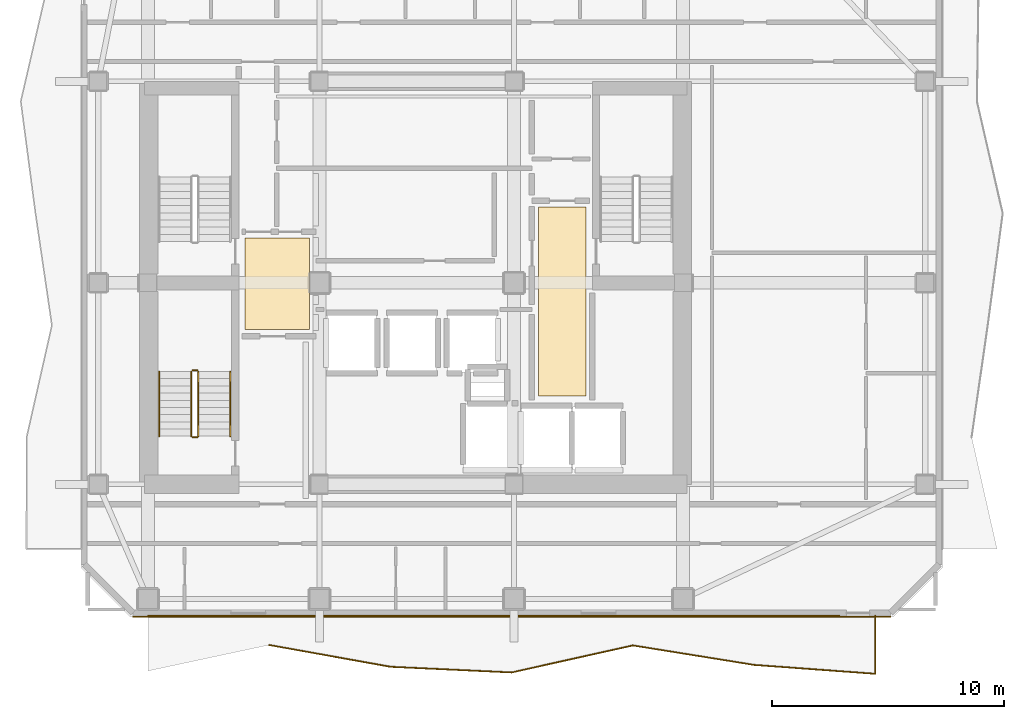
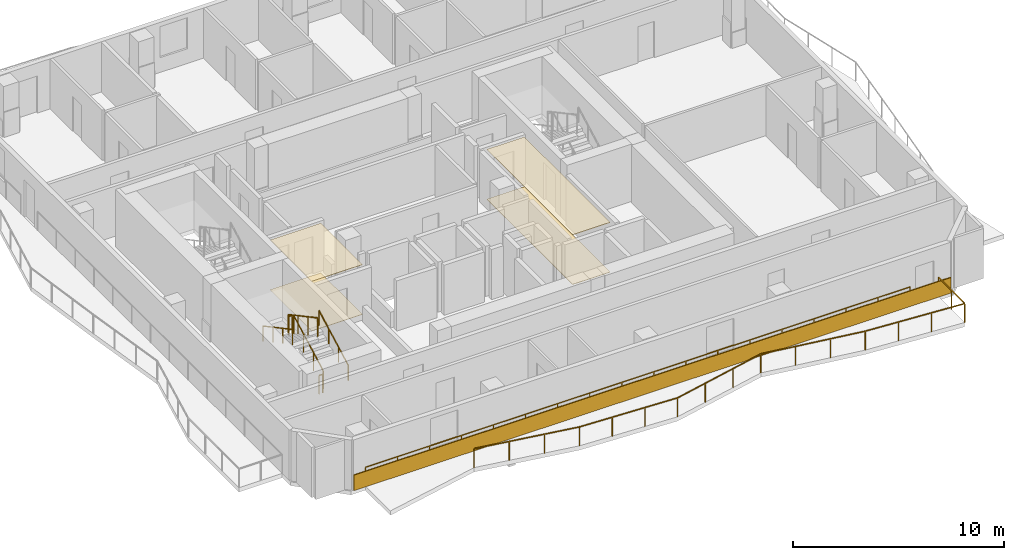
# One storey, part 7 of 9: 8 railings, 5 coverings.
"""IFC4 building model written with IfcOpenShell, lengths in metres."""

from ifc_helpers import new_model, si_unit, direction, frame, frame_2d, origin, origin_2d, place, context, subcontext, project, spatial, polyline, rectangle, outline, extrude, material, layer, layer_set, type_object, element, save


model = new_model("IFC4")

# Units and contexts
model_context = context("Model", 3, precision=1e-05, world=origin(), true_north=direction((0.0, 1.0)))
body_context = subcontext(model_context, "Body", "Model", "MODEL_VIEW")
ifc_project = project(units=[si_unit("LENGTHUNIT", "METRE"), si_unit("AREAUNIT", "SQUARE_METRE"), si_unit("VOLUMEUNIT", "CUBIC_METRE"), si_unit("PLANEANGLEUNIT", "RADIAN"), si_unit("MASSUNIT", "GRAM", prefix="KILO")], contexts=[model_context])

# Site, building, storey
site_placement = place(None, origin())
site = spatial("IfcSite", under=ifc_project, at=site_placement, CompositionType="ELEMENT")
building_placement = place(site_placement, origin())
building = spatial("IfcBuilding", under=site, at=building_placement, Name="Solanera Arch Residences", CompositionType="ELEMENT")
storey_placement = place(building_placement, frame((0.0, 0.0, 247.8798828125)))
storey = spatial("IfcBuildingStorey", under=building, at=storey_placement, Name="L72", CompositionType="ELEMENT", Elevation=247.8798828125)

# Railings
ifc_material_1 = material(Name="Steel S355 (ASTM A992 / A572 Grade 50)", Category="steel")
railing_type_1 = type_object("IfcRailingType", Name="Balustrade Railing BL-1100", PredefinedType="BALUSTRADE", material=ifc_material_1)
railing_1_placement = place(storey_placement, frame((18.633056640625, 15.06298828125, 0.0)))
element("IfcRailing", 1, at=railing_1_placement, inside=storey, type_object=railing_type_1, Name="L72 S Balcony Balustrade 1", PredefinedType="BALUSTRADE", context=body_context, shape_type="SweptSolid", body=[
    extrude(rectangle(XDim=0.048095703125, YDim=0.048095703125, at=origin_2d()), frame((0.0, 0.0, 1.09619140625), z_axis=(0.984254007394, -0.176759862322, 0.0), x_axis=(0.176759862322, 0.984254007394, 0.0)), (0.0, 0.0, 1.0), 5.317626953125),
    extrude(rectangle(XDim=0.048095703125, YDim=0.048095703125, at=origin_2d()), frame((5.23388671875, -0.93994140625, 1.09619140625), z_axis=(0.998904842537, -0.04678798516, 0.0), x_axis=(0.04678798516, 0.998904842537, 0.0)), (0.0, 0.0, 1.0), 5.239013671875),
    extrude(rectangle(XDim=0.048095703125, YDim=0.048095703125, at=origin_2d()), frame((10.467041015625, -1.18505859375, 1.09619140625), z_axis=(0.975985216439, 0.21783676754, 0.0), x_axis=(-0.21783676754, 0.975985216439, 0.0)), (0.0, 0.0, 1.0), 5.361572265625),
    extrude(rectangle(XDim=0.048095703125, YDim=0.048095703125, at=origin_2d()), frame((15.699951171875, -0.01708984375, 1.09619140625), z_axis=(0.987275427033, -0.159019593691, 0.0), x_axis=(0.159019593691, 0.987275427033, 0.0)), (0.0, 0.0, 1.0), 5.30126953125),
    extrude(rectangle(XDim=0.048095703125, YDim=0.048095703125, at=origin_2d()), frame((20.933837890625, -0.860107421875, 1.09619140625), z_axis=(0.997335127517, -0.072956448796, 0.0), x_axis=(0.072956448796, 0.997335127517, 0.0)), (0.0, 0.0, 1.0), 5.2470703125),
    extrude(rectangle(XDim=0.048095703125, YDim=0.048095703125, at=origin_2d()), frame((26.1669921875, -1.242919921875, 1.09619140625), z_axis=(0.0, 1.0, 0.0), x_axis=(-1.0, 0.0, 0.0)), (0.0, 0.0, 1.0), 2.5),
    extrude(rectangle(XDim=0.0419921875, YDim=0.0419921875, at=origin_2d()), origin(), (0.0, 0.0, 1.0), 1.072021484375),
    extrude(rectangle(XDim=0.0419921875, YDim=0.0419921875, at=origin_2d()), frame((1.74462890625, -0.313232421875, 0.0)), (0.0, 0.0, 1.0), 1.072021484375),
    extrude(rectangle(XDim=0.0419921875, YDim=0.0419921875, at=origin_2d()), frame((3.4892578125, -0.626708984375, 0.0)), (0.0, 0.0, 1.0), 1.072021484375),
    extrude(rectangle(XDim=0.0419921875, YDim=0.0419921875, at=origin_2d()), frame((5.23388671875, -0.93994140625, 0.0)), (0.0, 0.0, 1.0), 1.072021484375),
    extrude(rectangle(XDim=0.0419921875, YDim=0.0419921875, at=origin_2d()), frame((6.978271484375, -1.021728515625, 0.0)), (0.0, 0.0, 1.0), 1.072021484375),
    extrude(rectangle(XDim=0.0419921875, YDim=0.0419921875, at=origin_2d()), frame((8.72265625, -1.103271484375, 0.0)), (0.0, 0.0, 1.0), 1.072021484375),
    extrude(rectangle(XDim=0.0419921875, YDim=0.0419921875, at=origin_2d()), frame((10.467041015625, -1.18505859375, 0.0)), (0.0, 0.0, 1.0), 1.072021484375),
    extrude(rectangle(XDim=0.0419921875, YDim=0.0419921875, at=origin_2d()), frame((12.21142578125, -0.795654296875, 0.0)), (0.0, 0.0, 1.0), 1.072021484375),
    extrude(rectangle(XDim=0.0419921875, YDim=0.0419921875, at=origin_2d()), frame((13.95556640625, -0.406494140625, 0.0)), (0.0, 0.0, 1.0), 1.072021484375),
    extrude(rectangle(XDim=0.0419921875, YDim=0.0419921875, at=origin_2d()), frame((15.699951171875, -0.01708984375, 0.0)), (0.0, 0.0, 1.0), 1.072021484375),
    extrude(rectangle(XDim=0.0419921875, YDim=0.0419921875, at=origin_2d()), frame((17.444580078125, -0.298095703125, 0.0)), (0.0, 0.0, 1.0), 1.072021484375),
    extrude(rectangle(XDim=0.0419921875, YDim=0.0419921875, at=origin_2d()), frame((19.189208984375, -0.5791015625, 0.0)), (0.0, 0.0, 1.0), 1.072021484375),
    extrude(rectangle(XDim=0.0419921875, YDim=0.0419921875, at=origin_2d()), frame((20.933837890625, -0.860107421875, 0.0)), (0.0, 0.0, 1.0), 1.072021484375),
    extrude(rectangle(XDim=0.0419921875, YDim=0.0419921875, at=origin_2d()), frame((22.67822265625, -0.98779296875, 0.0)), (0.0, 0.0, 1.0), 1.072021484375),
    extrude(rectangle(XDim=0.0419921875, YDim=0.0419921875, at=origin_2d()), frame((24.422607421875, -1.115234375, 0.0)), (0.0, 0.0, 1.0), 1.072021484375),
    extrude(rectangle(XDim=0.0419921875, YDim=0.0419921875, at=origin_2d()), frame((26.1669921875, -1.242919921875, 0.0)), (0.0, 0.0, 1.0), 1.072021484375),
    extrude(rectangle(XDim=0.0419921875, YDim=0.0419921875, at=origin_2d()), frame((26.1669921875, 0.007080078125, 0.0)), (0.0, 0.0, 1.0), 1.072021484375),
    extrude(rectangle(XDim=0.0419921875, YDim=0.0419921875, at=origin_2d()), frame((26.1669921875, 1.257080078125, 0.0)), (0.0, 0.0, 1.0), 1.072021484375),
])
railing_2_placement = place(storey_placement, frame((43.248046875, 16.320068359375, 0.0)))
element("IfcRailing", 2, at=railing_2_placement, inside=storey, type_object=railing_type_1, Name="L72 S Balcony Balustrade 2", PredefinedType="BALUSTRADE", context=body_context, shape_type="SweptSolid", body=[
    extrude(rectangle(XDim=0.048095703125, YDim=0.048095703125, at=origin_2d()), frame((0.0, 0.0, 1.09619140625), z_axis=(-1.0, 0.0, 0.0), x_axis=(0.0, -1.0, 0.0)), (0.0, 0.0, 1.0), 29.84814453125),
    extrude(rectangle(XDim=0.0419921875, YDim=0.0419921875, at=origin_2d()), origin(), (0.0, 0.0, 1.0), 1.072021484375),
    extrude(rectangle(XDim=0.0419921875, YDim=0.0419921875, at=origin_2d()), frame((-1.755859375, 0.0, 0.0)), (0.0, 0.0, 1.0), 1.072021484375),
    extrude(rectangle(XDim=0.0419921875, YDim=0.0419921875, at=origin_2d()), frame((-3.511474609375, 0.0, 0.0)), (0.0, 0.0, 1.0), 1.072021484375),
    extrude(rectangle(XDim=0.0419921875, YDim=0.0419921875, at=origin_2d()), frame((-5.267333984375, 0.0, 0.0)), (0.0, 0.0, 1.0), 1.072021484375),
    extrude(rectangle(XDim=0.0419921875, YDim=0.0419921875, at=origin_2d()), frame((-7.023193359375, 0.0, 0.0)), (0.0, 0.0, 1.0), 1.072021484375),
    extrude(rectangle(XDim=0.0419921875, YDim=0.0419921875, at=origin_2d()), frame((-8.77880859375, 0.0, 0.0)), (0.0, 0.0, 1.0), 1.072021484375),
    extrude(rectangle(XDim=0.0419921875, YDim=0.0419921875, at=origin_2d()), frame((-10.53466796875, 0.0, 0.0)), (0.0, 0.0, 1.0), 1.072021484375),
    extrude(rectangle(XDim=0.0419921875, YDim=0.0419921875, at=origin_2d()), frame((-12.29052734375, 0.0, 0.0)), (0.0, 0.0, 1.0), 1.072021484375),
    extrude(rectangle(XDim=0.0419921875, YDim=0.0419921875, at=origin_2d()), frame((-14.046142578125, 0.0, 0.0)), (0.0, 0.0, 1.0), 1.072021484375),
    extrude(rectangle(XDim=0.0419921875, YDim=0.0419921875, at=origin_2d()), frame((-15.802001953125, 0.0, 0.0)), (0.0, 0.0, 1.0), 1.072021484375),
    extrude(rectangle(XDim=0.0419921875, YDim=0.0419921875, at=origin_2d()), frame((-17.5576171875, 0.0, 0.0)), (0.0, 0.0, 1.0), 1.072021484375),
    extrude(rectangle(XDim=0.0419921875, YDim=0.0419921875, at=origin_2d()), frame((-19.3134765625, 0.0, 0.0)), (0.0, 0.0, 1.0), 1.072021484375),
    extrude(rectangle(XDim=0.0419921875, YDim=0.0419921875, at=origin_2d()), frame((-21.0693359375, 0.0, 0.0)), (0.0, 0.0, 1.0), 1.072021484375),
    extrude(rectangle(XDim=0.0419921875, YDim=0.0419921875, at=origin_2d()), frame((-22.824951171875, 0.0, 0.0)), (0.0, 0.0, 1.0), 1.072021484375),
    extrude(rectangle(XDim=0.0419921875, YDim=0.0419921875, at=origin_2d()), frame((-24.580810546875, 0.0, 0.0)), (0.0, 0.0, 1.0), 1.072021484375),
    extrude(rectangle(XDim=0.0419921875, YDim=0.0419921875, at=origin_2d()), frame((-26.336669921875, 0.0, 0.0)), (0.0, 0.0, 1.0), 1.072021484375),
    extrude(rectangle(XDim=0.0419921875, YDim=0.0419921875, at=origin_2d()), frame((-28.09228515625, 0.0, 0.0)), (0.0, 0.0, 1.0), 1.072021484375),
    extrude(rectangle(XDim=0.0419921875, YDim=0.0419921875, at=origin_2d()), frame((-29.84814453125, 0.0, 0.0)), (0.0, 0.0, 1.0), 1.072021484375),
])

# Coverings
ifc_material_2 = material(Name="Porcelain Acoustic Floor Tile", Category="ceramic")
ifc_layer_1 = layer(ifc_material_2, 0.02001953125)
ifc_layer_set_1 = layer_set([ifc_layer_1], Name="Porcelain Acoustic Floor Tile")
covering_type_1 = type_object("IfcCoveringType", Name="Porcelain Acoustic Floor Finish FLR-20", PredefinedType="FLOORING", material=ifc_layer_set_1)
covering_1_placement = place(storey_placement, origin())
element("IfcCovering", 3, at=covering_1_placement, inside=storey, type_object=covering_type_1, Name="L72-FFL-W Porcelain Floor Finish", PredefinedType="FLOORING", context=body_context, shape_type="SweptSolid", body=[
    extrude(outline(polyline([(20.375, 28.675048828125), (17.594970703125, 28.675048828125), (17.594970703125, 32.625), (20.375, 32.625), (20.375, 28.675048828125)])), origin(), (0.0, 0.0, 1.0), 0.02001953125),
])
covering_2_placement = place(storey_placement, origin())
element("IfcCovering", 4, at=covering_2_placement, inside=storey, type_object=covering_type_1, Name="L72-FFL-E Porcelain Floor Finish", PredefinedType="FLOORING", context=body_context, shape_type="SweptSolid", body=[
    extrude(outline(polyline([(32.304931640625, 25.824951171875), (30.25, 25.824951171875), (30.25, 33.97509765625), (32.304931640625, 33.97509765625), (32.304931640625, 25.824951171875)])), origin(), (0.0, 0.0, 1.0), 0.02001953125),
])
ifc_material_3 = material(Name="Philippine Adobe Travertine Cladding", Category="masonry")
ifc_layer_2 = layer(ifc_material_3, 0.06005859375)
ifc_layer_set_2 = layer_set([ifc_layer_2], Name="Philippine Adobe Travertine Cladding")
covering_type_2 = type_object("IfcCoveringType", Name="Precast Pier Stone Cladding CLD-60", PredefinedType="CLADDING", material=ifc_layer_set_2)
covering_3_placement = place(storey_placement, frame((45.455078125, 16.284912109375, 0.0), z_axis=(0.0, 0.0, 1.0), x_axis=(-1.0, 0.0, 0.0)))
element("IfcCovering", 5, at=covering_3_placement, inside=storey, type_object=covering_type_2, Name="L72 S Precast Spandrel Stone Band", PredefinedType="CLADDING", context=body_context, shape_type="SweptSolid", body=[
    extrude(rectangle(XDim=32.7099609375, YDim=0.06005859375, at=frame_2d((16.35498046875, 0.0))), origin(), (0.0, 0.0, 1.0), 0.900146484375),
])

# Railings
ifc_material_4 = material(Name="Steel S355 (ASTM A992 / A572 Grade 50)", Category="steel")
railing_type_2 = type_object("IfcRailingType", Name="Stair Guardrail GR-1100", PredefinedType="GUARDRAIL", material=ifc_material_4)
railing_3_placement = place(storey_placement, frame((15.570068359375, 24.080078125, 0.151123046875)))
element("IfcRailing", 6, at=railing_3_placement, inside=storey, type_object=railing_type_2, Name="L72 ST-T3 stair guard 1", PredefinedType="GUARDRAIL", context=body_context, shape_type="SweptSolid", body=[
    extrude(rectangle(XDim=0.048095703125, YDim=0.048095703125, at=origin_2d()), frame((0.0, 0.0, 1.076171875), z_axis=(0.0, 0.881580869306, 0.472033018838), x_axis=(-1.0, 0.0, 0.0)), (0.0, 0.0, 1.0), 3.164794921875),
    extrude(rectangle(XDim=0.0419921875, YDim=0.0419921875, at=origin_2d()), origin(), (0.0, 0.0, 1.0), 1.052001953125),
    extrude(rectangle(XDim=0.0419921875, YDim=0.0419921875, at=origin_2d()), frame((0.0, 0.929931640625, 0.498046875)), (0.0, 0.0, 1.0), 1.052001953125),
    extrude(rectangle(XDim=0.0419921875, YDim=0.0419921875, at=origin_2d()), frame((0.0, 1.860107421875, 0.995849609375)), (0.0, 0.0, 1.0), 1.052001953125),
    extrude(rectangle(XDim=0.0419921875, YDim=0.0419921875, at=origin_2d()), frame((0.0, 2.7900390625, 1.493896484375)), (0.0, 0.0, 1.0), 1.052001953125),
])
railing_4_placement = place(storey_placement, frame((15.52001953125, 26.919921875, 1.64501953125)))
element("IfcRailing", 7, at=railing_4_placement, inside=storey, type_object=railing_type_2, Name="L72 ST-T3 stair guard 2", PredefinedType="GUARDRAIL", context=body_context, shape_type="SweptSolid", body=[
    extrude(rectangle(XDim=0.048095703125, YDim=0.048095703125, at=origin_2d()), frame((0.0, 0.0, 1.076171875), z_axis=(-1.0, 0.0, 0.0), x_axis=(0.0, -1.0, 0.0)), (0.0, 0.0, 1.0), 0.199951171875),
    extrude(rectangle(XDim=0.0419921875, YDim=0.0419921875, at=origin_2d()), origin(), (0.0, 0.0, 1.0), 1.052001953125),
    extrude(rectangle(XDim=0.0419921875, YDim=0.0419921875, at=origin_2d()), frame((-0.199951171875, 0.0, 0.0)), (0.0, 0.0, 1.0), 1.052001953125),
])
railing_5_placement = place(storey_placement, frame((15.27001953125, 26.8701171875, 1.81103515625)))
element("IfcRailing", 8, at=railing_5_placement, inside=storey, type_object=railing_type_2, Name="L72 ST-T3 stair guard 3", PredefinedType="GUARDRAIL", context=body_context, shape_type="SweptSolid", body=[
    extrude(rectangle(XDim=0.048095703125, YDim=0.048095703125, at=origin_2d()), frame((0.0, 0.0, 1.076171875), z_axis=(0.0, -0.881548766853, 0.472092969298), x_axis=(1.0, 0.0, 0.0)), (0.0, 0.0, 1.0), 3.1650390625),
    extrude(rectangle(XDim=0.0419921875, YDim=0.0419921875, at=origin_2d()), origin(), (0.0, 0.0, 1.0), 1.052001953125),
    extrude(rectangle(XDim=0.0419921875, YDim=0.0419921875, at=origin_2d()), frame((0.0, -0.929931640625, 0.498046875)), (0.0, 0.0, 1.0), 1.052001953125),
    extrude(rectangle(XDim=0.0419921875, YDim=0.0419921875, at=origin_2d()), frame((0.0, -1.860107421875, 0.99609375)), (0.0, 0.0, 1.0), 1.052001953125),
    extrude(rectangle(XDim=0.0419921875, YDim=0.0419921875, at=origin_2d()), frame((0.0, -2.7900390625, 1.494140625)), (0.0, 0.0, 1.0), 1.052001953125),
])
railing_6_placement = place(storey_placement, frame((15.52001953125, 24.030029296875, -0.014892578125)))
element("IfcRailing", 9, at=railing_6_placement, inside=storey, type_object=railing_type_2, Name="L72 ST-T3 stair guard 4", PredefinedType="GUARDRAIL", context=body_context, shape_type="SweptSolid", body=[
    extrude(rectangle(XDim=0.048095703125, YDim=0.048095703125, at=origin_2d()), frame((0.0, 0.0, 1.076171875), z_axis=(-1.0, 0.0, 0.0), x_axis=(0.0, -1.0, 0.0)), (0.0, 0.0, 1.0), 0.199951171875),
    extrude(rectangle(XDim=0.0419921875, YDim=0.0419921875, at=origin_2d()), origin(), (0.0, 0.0, 1.0), 1.052001953125),
    extrude(rectangle(XDim=0.0419921875, YDim=0.0419921875, at=origin_2d()), frame((-0.199951171875, 0.0, 0.0)), (0.0, 0.0, 1.0), 1.052001953125),
])
ifc_material_5 = material(Name="Steel S355 (ASTM A992 / A572 Grade 50)", Category="steel")
railing_type_3 = type_object("IfcRailingType", Name="Stair Wall Handrail HR-920", PredefinedType="HANDRAIL", material=ifc_material_5)
railing_7_placement = place(storey_placement, frame((16.949951171875, 24.080078125, 0.166015625)))
element("IfcRailing", 10, at=railing_7_placement, inside=storey, type_object=railing_type_3, Name="L72 ST-T3 stair handrail 1", PredefinedType="HANDRAIL", context=body_context, shape_type="SweptSolid", body=[
    extrude(rectangle(XDim=0.048095703125, YDim=0.048095703125, at=origin_2d()), frame((0.0, 0.0, 0.8759765625), z_axis=(0.0, 0.881548766853, 0.472092969298), x_axis=(-1.0, 0.0, 0.0)), (0.0, 0.0, 1.0), 3.1650390625),
    extrude(rectangle(XDim=0.0419921875, YDim=0.0419921875, at=origin_2d()), origin(), (0.0, 0.0, 1.0), 0.851806640625),
    extrude(rectangle(XDim=0.0419921875, YDim=0.0419921875, at=origin_2d()), frame((0.0, 0.929931640625, 0.498046875)), (0.0, 0.0, 1.0), 0.851806640625),
    extrude(rectangle(XDim=0.0419921875, YDim=0.0419921875, at=origin_2d()), frame((0.0, 1.860107421875, 0.99609375)), (0.0, 0.0, 1.0), 0.851806640625),
    extrude(rectangle(XDim=0.0419921875, YDim=0.0419921875, at=origin_2d()), frame((0.0, 2.7900390625, 1.494140625)), (0.0, 0.0, 1.0), 0.851806640625),
])
railing_8_placement = place(storey_placement, frame((13.889892578125, 26.8701171875, 1.826171875)))
element("IfcRailing", 11, at=railing_8_placement, inside=storey, type_object=railing_type_3, Name="L72 ST-T3 stair handrail 2", PredefinedType="HANDRAIL", context=body_context, shape_type="SweptSolid", body=[
    extrude(rectangle(XDim=0.048095703125, YDim=0.048095703125, at=origin_2d()), frame((0.0, 0.0, 0.8759765625), z_axis=(0.0, -0.881580869306, 0.472033018838), x_axis=(1.0, 0.0, 0.0)), (0.0, 0.0, 1.0), 3.164794921875),
    extrude(rectangle(XDim=0.0419921875, YDim=0.0419921875, at=origin_2d()), origin(), (0.0, 0.0, 1.0), 0.851806640625),
    extrude(rectangle(XDim=0.0419921875, YDim=0.0419921875, at=origin_2d()), frame((0.0, -0.929931640625, 0.498046875)), (0.0, 0.0, 1.0), 0.851806640625),
    extrude(rectangle(XDim=0.0419921875, YDim=0.0419921875, at=origin_2d()), frame((0.0, -1.860107421875, 0.995849609375)), (0.0, 0.0, 1.0), 0.851806640625),
    extrude(rectangle(XDim=0.0419921875, YDim=0.0419921875, at=origin_2d()), frame((0.0, -2.7900390625, 1.493896484375)), (0.0, 0.0, 1.0), 0.851806640625),
])

# Coverings
ifc_material_6 = material(Name="Mineral Fibre Acoustic Ceiling Board", Category="gypsum")
ifc_layer_3 = layer(ifc_material_6, 0.02490234375)
ifc_layer_set_3 = layer_set([ifc_layer_3], Name="Mineral Fibre Acoustic Ceiling Board")
covering_type_3 = type_object("IfcCoveringType", Name="Suspended Acoustic Ceiling Board CLG-25", PredefinedType="CEILING", material=ifc_layer_set_3)
covering_4_placement = place(storey_placement, frame((0.0, 0.0, 2.875)))
element("IfcCovering", 12, at=covering_4_placement, inside=storey, type_object=covering_type_3, Name="L72-FFL-W Acoustic Ceiling", PredefinedType="CEILING", context=body_context, shape_type="SweptSolid", body=[
    extrude(outline(polyline([(20.375, 28.675048828125), (17.594970703125, 28.675048828125), (17.594970703125, 32.625), (20.375, 32.625), (20.375, 28.675048828125)])), origin(), (0.0, 0.0, 1.0), 0.025146484375),
])
covering_5_placement = place(storey_placement, frame((0.0, 0.0, 2.875)))
element("IfcCovering", 13, at=covering_5_placement, inside=storey, type_object=covering_type_3, Name="L72-FFL-E Acoustic Ceiling", PredefinedType="CEILING", context=body_context, shape_type="SweptSolid", body=[
    extrude(outline(polyline([(32.304931640625, 25.824951171875), (30.25, 25.824951171875), (30.25, 33.97509765625), (32.304931640625, 33.97509765625), (32.304931640625, 25.824951171875)])), origin(), (0.0, 0.0, 1.0), 0.025146484375),
])

save(model, "model.ifc")
